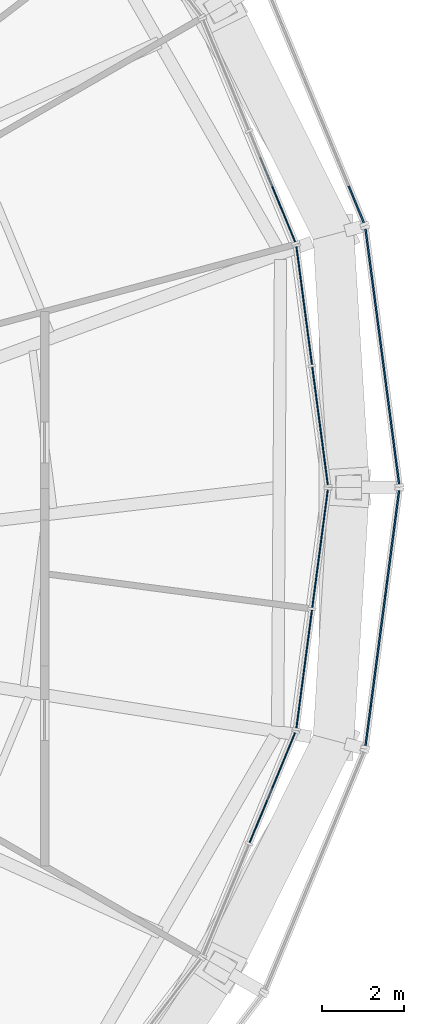
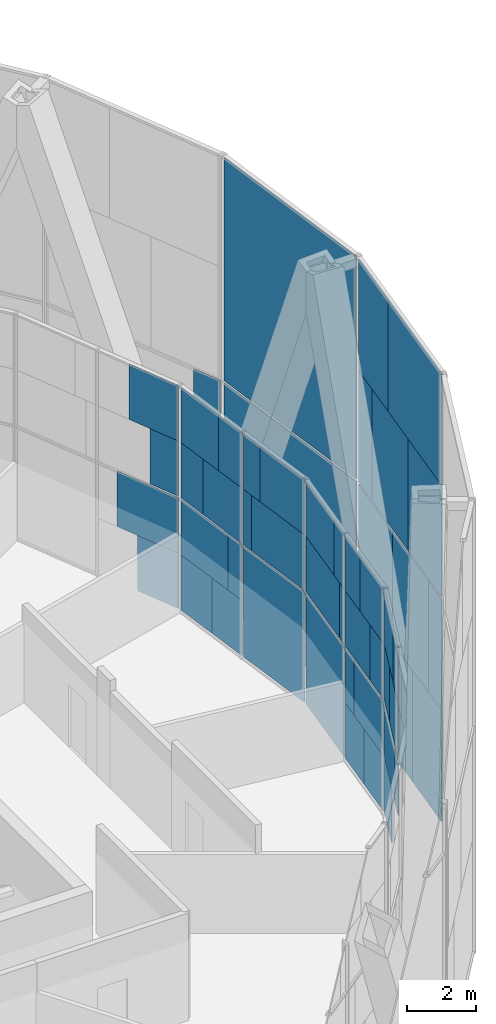
# One storey, part 15 of 23: 50 plates, 7 elements without a shape of their own.
"""IFC4 building model written with IfcOpenShell, lengths in metres."""

from ifc_helpers import new_model, si_unit, direction, frame, origin, origin_2d, place, context, subcontext, project, spatial, rectangle, extrude, material, layer, layer_set, type_object, element, aggregate, save


model = new_model("IFC4")

# Units and contexts
model_context = context("Model", 3, precision=1e-05, world=origin(), true_north=direction((0.0, 1.0)))
body_context = subcontext(model_context, "Body", "Model", "MODEL_VIEW")
ifc_project = project(units=[si_unit("LENGTHUNIT", "METRE"), si_unit("AREAUNIT", "SQUARE_METRE"), si_unit("VOLUMEUNIT", "CUBIC_METRE"), si_unit("PLANEANGLEUNIT", "RADIAN"), si_unit("MASSUNIT", "GRAM", prefix="KILO")], contexts=[model_context])

# Site, building, storey
site_placement = place(None, origin())
site = spatial("IfcSite", under=ifc_project, at=site_placement, CompositionType="ELEMENT")
building_placement = place(site_placement, origin())
building = spatial("IfcBuilding", under=site, at=building_placement, Name="Golbaran Civic Tower", CompositionType="ELEMENT")
storey_placement = place(building_placement, frame((0.0, 0.0, 232.0)))
storey = spatial("IfcBuildingStorey", under=building, at=storey_placement, Name="L56", CompositionType="ELEMENT", Elevation=232.0)

# Curtain wall, plates
ifc_material_1 = material(Name="Aluminium and glass", Category="aluminium")
curtain_wall_type_1 = type_object("IfcCurtainWallType", Name="INNER SKIN CURTAIN WALL EXECUTIVE", PredefinedType="NOTDEFINED", material=ifc_material_1)
curtain_wall_1_placement = place(storey_placement, origin())
curtain_wall_1 = element("IfcCurtainWall", 1, at=curtain_wall_1_placement, inside=storey, type_object=curtain_wall_type_1, Name="Inner skin L56 facet 1 CW2", ObjectType="INNER SKIN", PredefinedType="USERDEFINED")
ifc_material_2 = material(Name="Clear insulating glass", Category="glass")
ifc_layer_1 = layer(ifc_material_2, 0.031982421875, Name="Clear insulating glass")
ifc_layer_set_1 = layer_set([ifc_layer_1], Name="Clear insulating glass")
plate_type_1 = type_object("IfcPlateType", Name="INNER SKIN CURTAIN WALL EXECUTIVE GLAZED PANEL", PredefinedType="CURTAIN_PANEL", material=ifc_layer_set_1)
plate_1_placement = place(storey_placement, frame((22.7158203125, 1.49755859375, 0.06005859375), z_axis=(0.0, 0.0, 1.0), x_axis=(-0.130526192185, 0.991444861378, 0.0)))
plate_1 = element("IfcPlate", 2, at=plate_1_placement, type_object=plate_type_1, Name="CW2 panel 1.1", PredefinedType="CURTAIN_PANEL", context=body_context, shape_type="SweptSolid", body=[
    extrude(rectangle(XDim=2.900634765625, YDim=0.031982421875, at=origin_2d()), origin(), (0.0, 0.0, 1.0), 3.909912109375),
])
plate_2_placement = place(storey_placement, frame((22.7421875, 1.29833984375, 4.030029296875), z_axis=(0.0, 0.0, 1.0), x_axis=(-0.130526192185, 0.991444861378, 0.0)))
plate_2 = element("IfcPlate", 3, at=plate_2_placement, type_object=plate_type_1, Name="CW2 panel 1.2 part 1", PredefinedType="CURTAIN_PANEL", context=body_context, shape_type="SweptSolid", body=[
    extrude(rectangle(XDim=2.4990234375, YDim=0.031982421875, at=origin_2d()), origin(), (0.0, 0.0, 1.0), 1.955078125),
])
plate_3_placement = place(storey_placement, frame((22.768310546875, 1.099609375, 5.98486328125), z_axis=(0.0, 0.0, 1.0), x_axis=(-0.130526192185, 0.991444861378, 0.0)))
plate_3 = element("IfcPlate", 4, at=plate_3_placement, type_object=plate_type_1, Name="CW2 panel 1.2 part 3", PredefinedType="CURTAIN_PANEL", context=body_context, shape_type="SweptSolid", body=[
    extrude(rectangle(XDim=2.097900390625, YDim=0.031982421875, at=origin_2d()), origin(), (0.0, 0.0, 1.0), 1.955078125),
])
plate_4_placement = place(storey_placement, frame((22.42578125, 3.7001953125, 0.06005859375), z_axis=(0.0, 0.0, 1.0), x_axis=(-0.130526192185, 0.991444861378, 0.0)))
plate_4 = element("IfcPlate", 5, at=plate_4_placement, type_object=plate_type_1, Name="CW2 panel 2.1 part 1", PredefinedType="CURTAIN_PANEL", context=body_context, shape_type="SweptSolid", body=[
    extrude(rectangle(XDim=1.423095703125, YDim=0.031982421875, at=origin_2d()), origin(), (0.0, 0.0, 1.0), 1.955078125),
])
plate_5_placement = place(storey_placement, frame((22.47509765625, 3.32666015625, 2.014892578125), z_axis=(0.0, 0.0, 1.0), x_axis=(-0.130526192185, 0.991444861378, 0.0)))
plate_5 = element("IfcPlate", 6, at=plate_5_placement, type_object=plate_type_1, Name="CW2 panel 2.1 part 3", PredefinedType="CURTAIN_PANEL", context=body_context, shape_type="SweptSolid", body=[
    extrude(rectangle(XDim=0.6689453125, YDim=0.031982421875, at=origin_2d()), origin(), (0.0, 0.0, 1.0), 1.955078125),
])
plate_6_placement = place(storey_placement, frame((22.207763671875, 5.357421875, 4.030029296875), z_axis=(0.0, 0.0, 1.0), x_axis=(-0.130526192185, 0.991444861378, 0.0)))
plate_6 = element("IfcPlate", 7, at=plate_6_placement, type_object=plate_type_1, Name="CW2 panel 2.2 part 2", PredefinedType="CURTAIN_PANEL", context=body_context, shape_type="SweptSolid", body=[
    extrude(rectangle(XDim=1.03564453125, YDim=0.031982421875, at=origin_2d()), origin(), (0.0, 0.0, 1.0), 1.955078125),
])
plate_7_placement = place(storey_placement, frame((22.2568359375, 4.983642578125, 5.98486328125), z_axis=(0.0, 0.0, 1.0), x_axis=(-0.130526192185, 0.991444861378, 0.0)))
plate_7 = element("IfcPlate", 8, at=plate_7_placement, type_object=plate_type_1, Name="CW2 panel 2.2 part 4", PredefinedType="CURTAIN_PANEL", context=body_context, shape_type="SweptSolid", body=[
    extrude(rectangle(XDim=1.789794921875, YDim=0.031982421875, at=origin_2d()), origin(), (0.0, 0.0, 1.0), 1.955078125),
])

curtain_wall_2_placement = place(storey_placement, origin())
curtain_wall_2 = element("IfcCurtainWall", 9, at=curtain_wall_2_placement, inside=storey, type_object=curtain_wall_type_1, Name="Inner skin L56 facet 2 CW2", ObjectType="INNER SKIN", PredefinedType="USERDEFINED")
plate_8_placement = place(storey_placement, frame((21.911376953125, 6.4638671875, 4.030029296875), z_axis=(0.0, 0.0, 1.0), x_axis=(-0.382683432365, 0.923879532511, 0.0)))
plate_8 = element("IfcPlate", 10, at=plate_8_placement, type_object=plate_type_1, Name="CW2 panel 1.2 part 1", PredefinedType="CURTAIN_PANEL", context=body_context, shape_type="SweptSolid", body=[
    extrude(rectangle(XDim=1.034912109375, YDim=0.031982421875, at=origin_2d()), origin(), (0.0, 0.0, 1.0), 1.955078125),
])
plate_9_placement = place(storey_placement, frame((21.76708984375, 6.812255859375, 5.98486328125), z_axis=(0.0, 0.0, 1.0), x_axis=(-0.382683432365, 0.923879532511, 0.0)))
plate_9 = element("IfcPlate", 11, at=plate_9_placement, type_object=plate_type_1, Name="CW2 panel 1.2 part 3", PredefinedType="CURTAIN_PANEL", context=body_context, shape_type="SweptSolid", body=[
    extrude(rectangle(XDim=1.7890625, YDim=0.031982421875, at=origin_2d()), origin(), (0.0, 0.0, 1.0), 1.955078125),
])

curtain_wall_3_placement = place(storey_placement, origin())
curtain_wall_3 = element("IfcCurtainWall", 12, at=curtain_wall_3_placement, inside=storey, type_object=curtain_wall_type_1, Name="Inner skin L56 facet 23 CW2", ObjectType="INNER SKIN", PredefinedType="USERDEFINED")
plate_10_placement = place(storey_placement, frame((21.127197265625, -8.356689453125, 2.014892578125), z_axis=(0.0, 0.0, 1.0), x_axis=(0.382683432365, 0.923879532511, 0.0)))
plate_10 = element("IfcPlate", 13, at=plate_10_placement, type_object=plate_type_1, Name="CW2 panel 2.1 part 3", PredefinedType="CURTAIN_PANEL", context=body_context, shape_type="SweptSolid", body=[
    extrude(rectangle(XDim=0.6689453125, YDim=0.031982421875, at=origin_2d()), origin(), (0.0, 0.0, 1.0), 1.955078125),
])
plate_11_placement = place(storey_placement, frame((21.9111328125, -6.464111328125, 4.030029296875), z_axis=(0.0, 0.0, 1.0), x_axis=(0.382683432365, 0.923879532511, 0.0)))
plate_11 = element("IfcPlate", 14, at=plate_11_placement, type_object=plate_type_1, Name="CW2 panel 2.2 part 2", PredefinedType="CURTAIN_PANEL", context=body_context, shape_type="SweptSolid", body=[
    extrude(rectangle(XDim=1.03564453125, YDim=0.031982421875, at=origin_2d()), origin(), (0.0, 0.0, 1.0), 1.955078125),
])
plate_12_placement = place(storey_placement, frame((21.766845703125, -6.8125, 5.98486328125), z_axis=(0.0, 0.0, 1.0), x_axis=(0.382683432365, 0.923879532511, 0.0)))
plate_12 = element("IfcPlate", 15, at=plate_12_placement, type_object=plate_type_1, Name="CW2 panel 2.2 part 4", PredefinedType="CURTAIN_PANEL", context=body_context, shape_type="SweptSolid", body=[
    extrude(rectangle(XDim=1.789794921875, YDim=0.031982421875, at=origin_2d()), origin(), (0.0, 0.0, 1.0), 1.955078125),
])

curtain_wall_4_placement = place(storey_placement, origin())
curtain_wall_4 = element("IfcCurtainWall", 16, at=curtain_wall_4_placement, inside=storey, type_object=curtain_wall_type_1, Name="Inner skin L56 facet 24 CW2", ObjectType="INNER SKIN", PredefinedType="USERDEFINED")
plate_13_placement = place(storey_placement, frame((22.42578125, -3.7001953125, 0.06005859375), z_axis=(0.0, 0.0, 1.0), x_axis=(0.130526192185, 0.991444861378, 0.0)))
plate_13 = element("IfcPlate", 17, at=plate_13_placement, type_object=plate_type_1, Name="CW2 panel 1.1 part 2", PredefinedType="CURTAIN_PANEL", context=body_context, shape_type="SweptSolid", body=[
    extrude(rectangle(XDim=1.4228515625, YDim=0.031982421875, at=origin_2d()), origin(), (0.0, 0.0, 1.0), 1.955078125),
])
plate_14_placement = place(storey_placement, frame((22.47509765625, -3.326416015625, 2.014892578125), z_axis=(0.0, 0.0, 1.0), x_axis=(0.130526192185, 0.991444861378, 0.0)))
plate_14 = element("IfcPlate", 18, at=plate_14_placement, type_object=plate_type_1, Name="CW2 panel 1.1 part 4", PredefinedType="CURTAIN_PANEL", context=body_context, shape_type="SweptSolid", body=[
    extrude(rectangle(XDim=0.668701171875, YDim=0.031982421875, at=origin_2d()), origin(), (0.0, 0.0, 1.0), 1.955078125),
])
plate_15_placement = place(storey_placement, frame((22.20751953125, -5.357666015625, 4.030029296875), z_axis=(0.0, 0.0, 1.0), x_axis=(0.130526192185, 0.991444861378, 0.0)))
plate_15 = element("IfcPlate", 19, at=plate_15_placement, type_object=plate_type_1, Name="CW2 panel 1.2 part 1", PredefinedType="CURTAIN_PANEL", context=body_context, shape_type="SweptSolid", body=[
    extrude(rectangle(XDim=1.034912109375, YDim=0.031982421875, at=origin_2d()), origin(), (0.0, 0.0, 1.0), 1.955078125),
])
plate_16_placement = place(storey_placement, frame((22.2568359375, -4.98388671875, 5.98486328125), z_axis=(0.0, 0.0, 1.0), x_axis=(0.130526192185, 0.991444861378, 0.0)))
plate_16 = element("IfcPlate", 20, at=plate_16_placement, type_object=plate_type_1, Name="CW2 panel 1.2 part 3", PredefinedType="CURTAIN_PANEL", context=body_context, shape_type="SweptSolid", body=[
    extrude(rectangle(XDim=1.7890625, YDim=0.031982421875, at=origin_2d()), origin(), (0.0, 0.0, 1.0), 1.955078125),
])
plate_17_placement = place(storey_placement, frame((22.7158203125, -1.49755859375, 0.06005859375), z_axis=(0.0, 0.0, 1.0), x_axis=(0.130526192185, 0.991444861378, 0.0)))
plate_17 = element("IfcPlate", 21, at=plate_17_placement, type_object=plate_type_1, Name="CW2 panel 2.1", PredefinedType="CURTAIN_PANEL", context=body_context, shape_type="SweptSolid", body=[
    extrude(rectangle(XDim=2.900634765625, YDim=0.031982421875, at=origin_2d()), origin(), (0.0, 0.0, 1.0), 3.909912109375),
])
plate_18_placement = place(storey_placement, frame((22.741943359375, -1.299072265625, 4.030029296875), z_axis=(0.0, 0.0, 1.0), x_axis=(0.130526192185, 0.991444861378, 0.0)))
plate_18 = element("IfcPlate", 22, at=plate_18_placement, type_object=plate_type_1, Name="CW2 panel 2.2 part 2", PredefinedType="CURTAIN_PANEL", context=body_context, shape_type="SweptSolid", body=[
    extrude(rectangle(XDim=2.500732421875, YDim=0.031982421875, at=origin_2d()), origin(), (0.0, 0.0, 1.0), 1.955078125),
])
plate_19_placement = place(storey_placement, frame((22.768310546875, -1.099853515625, 5.98486328125), z_axis=(0.0, 0.0, 1.0), x_axis=(0.130526192185, 0.991444861378, 0.0)))
plate_19 = element("IfcPlate", 23, at=plate_19_placement, type_object=plate_type_1, Name="CW2 panel 2.2 part 4", PredefinedType="CURTAIN_PANEL", context=body_context, shape_type="SweptSolid", body=[
    extrude(rectangle(XDim=2.0986328125, YDim=0.031982421875, at=origin_2d()), origin(), (0.0, 0.0, 1.0), 1.955078125),
])

# Plate
ifc_material_3 = material(Name="Aluminium faced opaque infill panel", Category="aluminium")
ifc_layer_2 = layer(ifc_material_3, 0.031982421875, Name="Aluminium faced opaque infill panel")
ifc_layer_set_2 = layer_set([ifc_layer_2], Name="Aluminium faced opaque infill panel")
plate_type_2 = type_object("IfcPlateType", Name="INNER SKIN CURTAIN WALL EXECUTIVE OPAQUE INFILL PANEL", PredefinedType="CURTAIN_PANEL", material=ifc_layer_set_2)
plate_20_placement = place(storey_placement, frame((22.552734375, 2.736328125, 4.030029296875), z_axis=(0.0, 0.0, 1.0), x_axis=(-0.130526192185, 0.991444861378, 0.0)))
plate_20 = element("IfcPlate", 24, at=plate_20_placement, type_object=plate_type_2, Name="CW2 infill panel 1.2 part 2", PredefinedType="CURTAIN_PANEL", context=body_context, shape_type="SweptSolid", body=[
    extrude(rectangle(XDim=0.40185546875, YDim=0.031982421875, at=origin_2d()), origin(), (0.0, 0.0, 1.0), 1.955078125),
])

plate_21_placement = place(storey_placement, frame((22.578857421875, 2.53759765625, 5.98486328125), z_axis=(0.0, 0.0, 1.0), x_axis=(-0.130526192185, 0.991444861378, 0.0)))
plate_21 = element("IfcPlate", 25, at=plate_21_placement, type_object=plate_type_2, Name="CW2 infill panel 1.2 part 4", PredefinedType="CURTAIN_PANEL", context=body_context, shape_type="SweptSolid", body=[
    extrude(rectangle(XDim=0.802734375, YDim=0.031982421875, at=origin_2d()), origin(), (0.0, 0.0, 1.0), 1.955078125),
])

plate_22_placement = place(storey_placement, frame((22.236572265625, 5.13818359375, 0.06005859375), z_axis=(0.0, 0.0, 1.0), x_axis=(-0.130526192185, 0.991444861378, 0.0)))
plate_22 = element("IfcPlate", 26, at=plate_22_placement, type_object=plate_type_2, Name="CW2 infill panel 2.1 part 2", PredefinedType="CURTAIN_PANEL", context=body_context, shape_type="SweptSolid", body=[
    extrude(rectangle(XDim=1.477783203125, YDim=0.031982421875, at=origin_2d()), origin(), (0.0, 0.0, 1.0), 1.955078125),
])

plate_23_placement = place(storey_placement, frame((22.28564453125, 4.764404296875, 2.014892578125), z_axis=(0.0, 0.0, 1.0), x_axis=(-0.130526192185, 0.991444861378, 0.0)))
plate_23 = element("IfcPlate", 27, at=plate_23_placement, type_object=plate_type_2, Name="CW2 infill panel 2.1 part 4", PredefinedType="CURTAIN_PANEL", context=body_context, shape_type="SweptSolid", body=[
    extrude(rectangle(XDim=2.231689453125, YDim=0.031982421875, at=origin_2d()), origin(), (0.0, 0.0, 1.0), 1.955078125),
])

plate_24_placement = place(storey_placement, frame((22.39697265625, 3.91943359375, 4.030029296875), z_axis=(0.0, 0.0, 1.0), x_axis=(-0.130526192185, 0.991444861378, 0.0)))
plate_24 = element("IfcPlate", 28, at=plate_24_placement, type_object=plate_type_2, Name="CW2 infill panel 2.2 part 1", PredefinedType="CURTAIN_PANEL", context=body_context, shape_type="SweptSolid", body=[
    extrude(rectangle(XDim=1.864990234375, YDim=0.031982421875, at=origin_2d()), origin(), (0.0, 0.0, 1.0), 1.955078125),
])

plate_25_placement = place(storey_placement, frame((22.4462890625, 3.545654296875, 5.98486328125), z_axis=(0.0, 0.0, 1.0), x_axis=(-0.130526192185, 0.991444861378, 0.0)))
plate_25 = element("IfcPlate", 29, at=plate_25_placement, type_object=plate_type_2, Name="CW2 infill panel 2.2 part 3", PredefinedType="CURTAIN_PANEL", context=body_context, shape_type="SweptSolid", body=[
    extrude(rectangle(XDim=1.111083984375, YDim=0.031982421875, at=origin_2d()), origin(), (0.0, 0.0, 1.0), 1.955078125),
])

aggregate(curtain_wall_1, [plate_1, plate_2, plate_20, plate_3, plate_21, plate_4, plate_22, plate_5, plate_23, plate_24, plate_6, plate_25, plate_7])

plate_26_placement = place(storey_placement, frame((21.826416015625, 6.66845703125, 0.06005859375), z_axis=(0.0, 0.0, 1.0), x_axis=(-0.382683432365, 0.923879532511, 0.0)))
plate_26 = element("IfcPlate", 30, at=plate_26_placement, type_object=plate_type_2, Name="CW2 infill panel 1.1 part 1", PredefinedType="CURTAIN_PANEL", context=body_context, shape_type="SweptSolid", body=[
    extrude(rectangle(XDim=1.47802734375, YDim=0.031982421875, at=origin_2d()), origin(), (0.0, 0.0, 1.0), 1.955078125),
])

plate_27_placement = place(storey_placement, frame((21.68212890625, 7.016845703125, 2.014892578125), z_axis=(0.0, 0.0, 1.0), x_axis=(-0.382683432365, 0.923879532511, 0.0)))
plate_27 = element("IfcPlate", 31, at=plate_27_placement, type_object=plate_type_2, Name="CW2 infill panel 1.1 part 3", PredefinedType="CURTAIN_PANEL", context=body_context, shape_type="SweptSolid", body=[
    extrude(rectangle(XDim=2.23193359375, YDim=0.031982421875, at=origin_2d()), origin(), (0.0, 0.0, 1.0), 1.955078125),
])

aggregate(curtain_wall_2, [plate_26, plate_27, plate_8, plate_9])

plate_28_placement = place(storey_placement, frame((21.82666015625, -6.66845703125, 0.06005859375), z_axis=(0.0, 0.0, 1.0), x_axis=(0.382683432365, 0.923879532511, 0.0)))
plate_28 = element("IfcPlate", 32, at=plate_28_placement, type_object=plate_type_2, Name="CW2 infill panel 2.1 part 2", PredefinedType="CURTAIN_PANEL", context=body_context, shape_type="SweptSolid", body=[
    extrude(rectangle(XDim=1.477783203125, YDim=0.031982421875, at=origin_2d()), origin(), (0.0, 0.0, 1.0), 1.955078125),
])

plate_29_placement = place(storey_placement, frame((21.682373046875, -7.0166015625, 2.014892578125), z_axis=(0.0, 0.0, 1.0), x_axis=(0.382683432365, 0.923879532511, 0.0)))
plate_29 = element("IfcPlate", 33, at=plate_29_placement, type_object=plate_type_2, Name="CW2 infill panel 2.1 part 4", PredefinedType="CURTAIN_PANEL", context=body_context, shape_type="SweptSolid", body=[
    extrude(rectangle(XDim=2.231689453125, YDim=0.031982421875, at=origin_2d()), origin(), (0.0, 0.0, 1.0), 1.955078125),
])

plate_30_placement = place(storey_placement, frame((21.356201171875, -7.80419921875, 4.030029296875), z_axis=(0.0, 0.0, 1.0), x_axis=(0.382683432365, 0.923879532511, 0.0)))
plate_30 = element("IfcPlate", 34, at=plate_30_placement, type_object=plate_type_2, Name="CW2 infill panel 2.2 part 1", PredefinedType="CURTAIN_PANEL", context=body_context, shape_type="SweptSolid", body=[
    extrude(rectangle(XDim=1.864990234375, YDim=0.031982421875, at=origin_2d()), origin(), (0.0, 0.0, 1.0), 1.955078125),
])

plate_31_placement = place(storey_placement, frame((21.2119140625, -8.152587890625, 5.98486328125), z_axis=(0.0, 0.0, 1.0), x_axis=(0.382683432365, 0.923879532511, 0.0)))
plate_31 = element("IfcPlate", 35, at=plate_31_placement, type_object=plate_type_2, Name="CW2 infill panel 2.2 part 3", PredefinedType="CURTAIN_PANEL", context=body_context, shape_type="SweptSolid", body=[
    extrude(rectangle(XDim=1.111083984375, YDim=0.031982421875, at=origin_2d()), origin(), (0.0, 0.0, 1.0), 1.955078125),
])

aggregate(curtain_wall_3, [plate_28, plate_10, plate_29, plate_30, plate_11, plate_31, plate_12])

plate_32_placement = place(storey_placement, frame((22.236572265625, -5.13818359375, 0.06005859375), z_axis=(0.0, 0.0, 1.0), x_axis=(0.130526192185, 0.991444861378, 0.0)))
plate_32 = element("IfcPlate", 36, at=plate_32_placement, type_object=plate_type_2, Name="CW2 infill panel 1.1 part 1", PredefinedType="CURTAIN_PANEL", context=body_context, shape_type="SweptSolid", body=[
    extrude(rectangle(XDim=1.47802734375, YDim=0.031982421875, at=origin_2d()), origin(), (0.0, 0.0, 1.0), 1.955078125),
])

plate_33_placement = place(storey_placement, frame((22.28564453125, -4.764404296875, 2.014892578125), z_axis=(0.0, 0.0, 1.0), x_axis=(0.130526192185, 0.991444861378, 0.0)))
plate_33 = element("IfcPlate", 37, at=plate_33_placement, type_object=plate_type_2, Name="CW2 infill panel 1.1 part 3", PredefinedType="CURTAIN_PANEL", context=body_context, shape_type="SweptSolid", body=[
    extrude(rectangle(XDim=2.23193359375, YDim=0.031982421875, at=origin_2d()), origin(), (0.0, 0.0, 1.0), 1.955078125),
])

plate_34_placement = place(storey_placement, frame((22.39697265625, -3.919677734375, 4.030029296875), z_axis=(0.0, 0.0, 1.0), x_axis=(0.130526192185, 0.991444861378, 0.0)))
plate_34 = element("IfcPlate", 38, at=plate_34_placement, type_object=plate_type_2, Name="CW2 infill panel 1.2 part 2", PredefinedType="CURTAIN_PANEL", context=body_context, shape_type="SweptSolid", body=[
    extrude(rectangle(XDim=1.86572265625, YDim=0.031982421875, at=origin_2d()), origin(), (0.0, 0.0, 1.0), 1.955078125),
])

plate_35_placement = place(storey_placement, frame((22.446044921875, -3.546142578125, 5.98486328125), z_axis=(0.0, 0.0, 1.0), x_axis=(0.130526192185, 0.991444861378, 0.0)))
plate_35 = element("IfcPlate", 39, at=plate_35_placement, type_object=plate_type_2, Name="CW2 infill panel 1.2 part 4", PredefinedType="CURTAIN_PANEL", context=body_context, shape_type="SweptSolid", body=[
    extrude(rectangle(XDim=1.11181640625, YDim=0.031982421875, at=origin_2d()), origin(), (0.0, 0.0, 1.0), 1.955078125),
])

plate_36_placement = place(storey_placement, frame((22.552734375, -2.737060546875, 4.030029296875), z_axis=(0.0, 0.0, 1.0), x_axis=(0.130526192185, 0.991444861378, 0.0)))
plate_36 = element("IfcPlate", 40, at=plate_36_placement, type_object=plate_type_2, Name="CW2 infill panel 2.2 part 1", PredefinedType="CURTAIN_PANEL", context=body_context, shape_type="SweptSolid", body=[
    extrude(rectangle(XDim=0.39990234375, YDim=0.031982421875, at=origin_2d()), origin(), (0.0, 0.0, 1.0), 1.955078125),
])

plate_37_placement = place(storey_placement, frame((22.578857421875, -2.537841796875, 5.98486328125), z_axis=(0.0, 0.0, 1.0), x_axis=(0.130526192185, 0.991444861378, 0.0)))
plate_37 = element("IfcPlate", 41, at=plate_37_placement, type_object=plate_type_2, Name="CW2 infill panel 2.2 part 3", PredefinedType="CURTAIN_PANEL", context=body_context, shape_type="SweptSolid", body=[
    extrude(rectangle(XDim=0.802001953125, YDim=0.031982421875, at=origin_2d()), origin(), (0.0, 0.0, 1.0), 1.955078125),
])

aggregate(curtain_wall_4, [plate_32, plate_13, plate_33, plate_14, plate_15, plate_34, plate_16, plate_35, plate_17, plate_36, plate_18, plate_37, plate_19])

# Curtain wall, plate
curtain_wall_type_2 = type_object("IfcCurtainWallType", Name="OUTER SKIN TERRACOTTA SCREEN", PredefinedType="NOTDEFINED", material=ifc_material_1)
curtain_wall_5_placement = place(storey_placement, origin())
curtain_wall_5 = element("IfcCurtainWall", 42, at=curtain_wall_5_placement, inside=storey, type_object=curtain_wall_type_2, Name="Outer skin L56 facet 2 CW3", ObjectType="OUTER SKIN", PredefinedType="USERDEFINED")
ifc_material_4 = material(Name="Clear laminated glass", Category="glass")
ifc_layer_3 = layer(ifc_material_4, 0.0400390625, Name="Clear laminated glass")
ifc_layer_set_3 = layer_set([ifc_layer_3], Name="Clear laminated glass")
plate_type_3 = type_object("IfcPlateType", Name="OUTER SKIN CLEAR GLASS PANEL", PredefinedType="CURTAIN_PANEL", material=ifc_layer_set_3)
plate_38_placement = place(storey_placement, frame((23.599609375, 6.90087890625, 3.31005859375), z_axis=(0.0, 0.0, 1.0), x_axis=(-0.382683432381, 0.923879532505, 0.0)))
plate_38 = element("IfcPlate", 43, at=plate_38_placement, type_object=plate_type_3, Name="CW3 panel 1.1 part 3", PredefinedType="CURTAIN_PANEL", context=body_context, shape_type="SweptSolid", body=[
    extrude(rectangle(XDim=0.965087890625, YDim=0.0400390625, at=origin_2d()), origin(), (0.0, 0.0, 1.0), 3.93994140625),
])
aggregate(curtain_wall_5, [plate_38])

# Curtain wall, plates
curtain_wall_6_placement = place(storey_placement, origin())
curtain_wall_6 = element("IfcCurtainWall", 44, at=curtain_wall_6_placement, inside=storey, type_object=curtain_wall_type_2, Name="Outer skin L56 facet 24 CW3", ObjectType="OUTER SKIN", PredefinedType="USERDEFINED")
plate_39_placement = place(storey_placement, frame((24.37744140625, -2.107421875, -0.6298828125), z_axis=(0.0, 0.0, 1.0), x_axis=(0.130526192237, 0.991444861372, 0.0)))
plate_39 = element("IfcPlate", 45, at=plate_39_placement, type_object=plate_type_3, Name="CW3 panel 1.1 part 2", PredefinedType="CURTAIN_PANEL", context=body_context, shape_type="SweptSolid", body=[
    extrude(rectangle(XDim=4.09130859375, YDim=0.0400390625, at=origin_2d()), origin(), (0.0, 0.0, 1.0), 3.93994140625),
])
plate_40_placement = place(storey_placement, frame((23.888427734375, -5.823486328125, 3.31005859375), z_axis=(0.0, 0.0, 1.0), x_axis=(0.130526192237, 0.991444861372, 0.0)))
plate_40 = element("IfcPlate", 46, at=plate_40_placement, type_object=plate_type_3, Name="CW3 panel 1.1 part 3", PredefinedType="CURTAIN_PANEL", context=body_context, shape_type="SweptSolid", body=[
    extrude(rectangle(XDim=0.965087890625, YDim=0.0400390625, at=origin_2d()), origin(), (0.0, 0.0, 1.0), 3.93994140625),
])
plate_41_placement = place(storey_placement, frame((24.476806640625, -1.3544921875, 3.31005859375), z_axis=(0.0, 0.0, 1.0), x_axis=(0.130526192237, 0.991444861372, 0.0)))
plate_41 = element("IfcPlate", 47, at=plate_41_placement, type_object=plate_type_3, Name="CW3 panel 1.1 part 5", PredefinedType="CURTAIN_PANEL", context=body_context, shape_type="SweptSolid", body=[
    extrude(rectangle(XDim=2.572265625, YDim=0.0400390625, at=origin_2d()), origin(), (0.0, 0.0, 1.0), 3.93994140625),
])
plate_42_placement = place(storey_placement, frame((23.989501953125, -5.05517578125, 7.330078125), z_axis=(0.0, 0.0, 1.0), x_axis=(0.130526192237, 0.991444861372, 0.0)))
plate_42 = element("IfcPlate", 48, at=plate_42_placement, type_object=plate_type_3, Name="CW3 panel 1.2 part 1", PredefinedType="CURTAIN_PANEL", context=body_context, shape_type="SweptSolid", body=[
    extrude(rectangle(XDim=2.514892578125, YDim=0.0400390625, at=origin_2d()), origin(), (0.0, 0.0, 1.0), 3.93994140625),
])
plate_43_placement = place(storey_placement, frame((24.577880859375, -0.58544921875, 7.330078125), z_axis=(0.0, 0.0, 1.0), x_axis=(0.130526192237, 0.991444861372, 0.0)))
plate_43 = element("IfcPlate", 49, at=plate_43_placement, type_object=plate_type_3, Name="CW3 panel 1.2 part 3", PredefinedType="CURTAIN_PANEL", context=body_context, shape_type="SweptSolid", body=[
    extrude(rectangle(XDim=1.021240234375, YDim=0.0400390625, at=origin_2d()), origin(), (0.0, 0.0, 1.0), 3.93994140625),
])
plate_44_placement = place(storey_placement, frame((24.089111328125, -4.299072265625, 11.27001953125), z_axis=(0.0, 0.0, 1.0), x_axis=(0.130526192237, 0.991444861372, 0.0)))
plate_44 = element("IfcPlate", 50, at=plate_44_placement, type_object=plate_type_3, Name="CW3 panel 1.2 part 4", PredefinedType="CURTAIN_PANEL", context=body_context, shape_type="SweptSolid", body=[
    extrude(rectangle(XDim=4.0400390625, YDim=0.0400390625, at=origin_2d()), origin(), (0.0, 0.0, 1.0), 3.93994140625),
])
ifc_material_5 = material(Name="Terracotta baguette screen", Category="masonry")
ifc_layer_4 = layer(ifc_material_5, 0.0400390625, Name="Terracotta baguette screen")
ifc_layer_set_4 = layer_set([ifc_layer_4], Name="Terracotta baguette screen")
plate_type_4 = type_object("IfcPlateType", Name="OUTER SKIN TERRACOTTA INFILL PANEL", PredefinedType="CURTAIN_PANEL", material=ifc_layer_set_4)
plate_45_placement = place(storey_placement, frame((23.968017578125, -5.21875, -0.6298828125), z_axis=(0.0, 0.0, 1.0), x_axis=(0.130526192237, 0.991444861372, 0.0)))
plate_45 = element("IfcPlate", 51, at=plate_45_placement, type_object=plate_type_4, Name="CW3 infill panel 1.1 part 1", PredefinedType="CURTAIN_PANEL", context=body_context, shape_type="SweptSolid", body=[
    extrude(rectangle(XDim=2.18505859375, YDim=0.0400390625, at=origin_2d()), origin(), (0.0, 0.0, 1.0), 3.93994140625),
])
plate_46_placement = place(storey_placement, frame((24.130126953125, -3.9873046875, 3.31005859375), z_axis=(0.0, 0.0, 1.0), x_axis=(0.130526192237, 0.991444861372, 0.0)))
plate_46 = element("IfcPlate", 52, at=plate_46_placement, type_object=plate_type_4, Name="CW3 infill panel 1.1 part 4", PredefinedType="CURTAIN_PANEL", context=body_context, shape_type="SweptSolid", body=[
    extrude(rectangle(XDim=2.739013671875, YDim=0.0400390625, at=origin_2d()), origin(), (0.0, 0.0, 1.0), 3.93994140625),
])
plate_47_placement = place(storey_placement, frame((24.33251953125, -2.4501953125, 7.330078125), z_axis=(0.0, 0.0, 1.0), x_axis=(0.130526192237, 0.991444861372, 0.0)))
plate_47 = element("IfcPlate", 53, at=plate_47_placement, type_object=plate_type_4, Name="CW3 infill panel 1.2 part 2", PredefinedType="CURTAIN_PANEL", context=body_context, shape_type="SweptSolid", body=[
    extrude(rectangle(XDim=2.739990234375, YDim=0.0400390625, at=origin_2d()), origin(), (0.0, 0.0, 1.0), 3.93994140625),
])
plate_48_placement = place(storey_placement, frame((24.49853515625, -1.18798828125, 11.27001953125), z_axis=(0.0, 0.0, 1.0), x_axis=(0.130526192237, 0.991444861372, 0.0)))
plate_48 = element("IfcPlate", 54, at=plate_48_placement, type_object=plate_type_4, Name="CW3 infill panel 1.2 part 5", PredefinedType="CURTAIN_PANEL", context=body_context, shape_type="SweptSolid", body=[
    extrude(rectangle(XDim=2.236328125, YDim=0.0400390625, at=origin_2d()), origin(), (0.0, 0.0, 1.0), 3.93994140625),
])
aggregate(curtain_wall_6, [plate_45, plate_39, plate_40, plate_46, plate_41, plate_42, plate_47, plate_43, plate_44, plate_48])

curtain_wall_7_placement = place(storey_placement, origin())
curtain_wall_7 = element("IfcCurtainWall", 55, at=curtain_wall_7_placement, inside=storey, type_object=curtain_wall_type_2, Name="Outer skin L56 facet 1 CW3", ObjectType="OUTER SKIN", PredefinedType="USERDEFINED")
ifc_layer_5 = layer(ifc_material_5, 0.0400390625, Name="Terracotta baguette screen")
ifc_layer_set_5 = layer_set([ifc_layer_5], Name="Terracotta baguette screen")
plate_type_5 = type_object("IfcPlateType", Name="OUTER SKIN TERRACOTTA SCREEN PANEL", PredefinedType="CURTAIN_PANEL", material=ifc_layer_set_5)
plate_49_placement = place(storey_placement, frame((24.23486328125, 3.190673828125, -0.6298828125), z_axis=(0.0, 0.0, 1.0), x_axis=(-0.130526192237, 0.991444861372, 0.0)))
plate_49 = element("IfcPlate", 56, at=plate_49_placement, type_object=plate_type_5, Name="CW3 terracotta screen panel 1.1", PredefinedType="CURTAIN_PANEL", context=body_context, shape_type="SweptSolid", body=[
    extrude(rectangle(XDim=6.2763671875, YDim=0.0400390625, at=origin_2d()), origin(), (0.0, 0.0, 1.0), 7.8798828125),
])
plate_50_placement = place(storey_placement, frame((24.23486328125, 3.190673828125, 7.330078125), z_axis=(0.0, 0.0, 1.0), x_axis=(-0.130526192237, 0.991444861372, 0.0)))
plate_50 = element("IfcPlate", 57, at=plate_50_placement, type_object=plate_type_5, Name="CW3 terracotta screen panel 1.2", PredefinedType="CURTAIN_PANEL", context=body_context, shape_type="SweptSolid", body=[
    extrude(rectangle(XDim=6.2763671875, YDim=0.0400390625, at=origin_2d()), origin(), (0.0, 0.0, 1.0), 7.8798828125),
])
aggregate(curtain_wall_7, [plate_49, plate_50])

save(model, "model.ifc")
